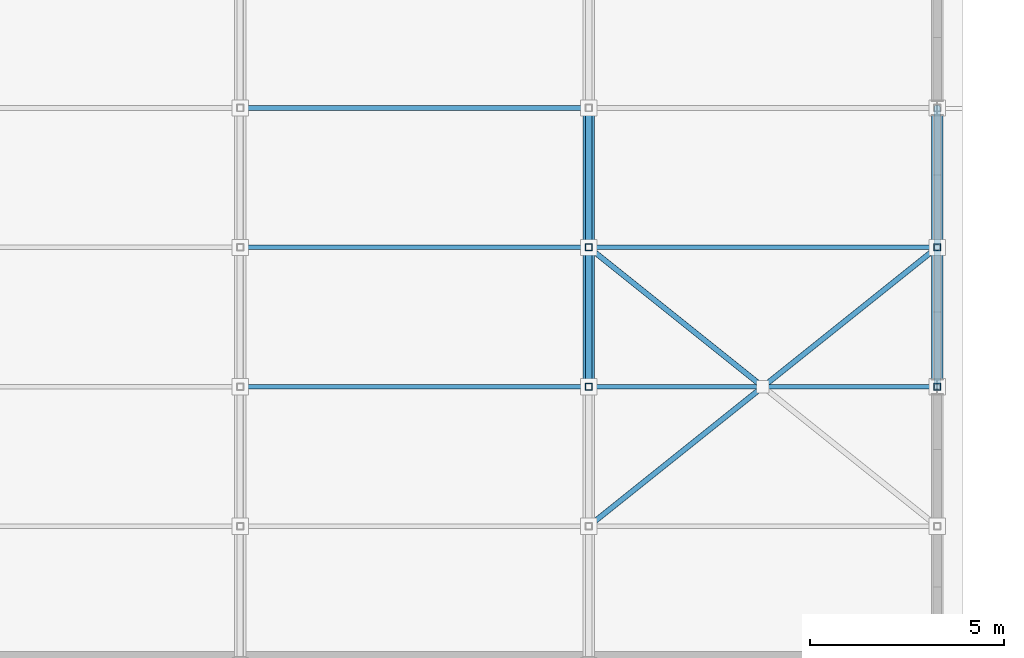
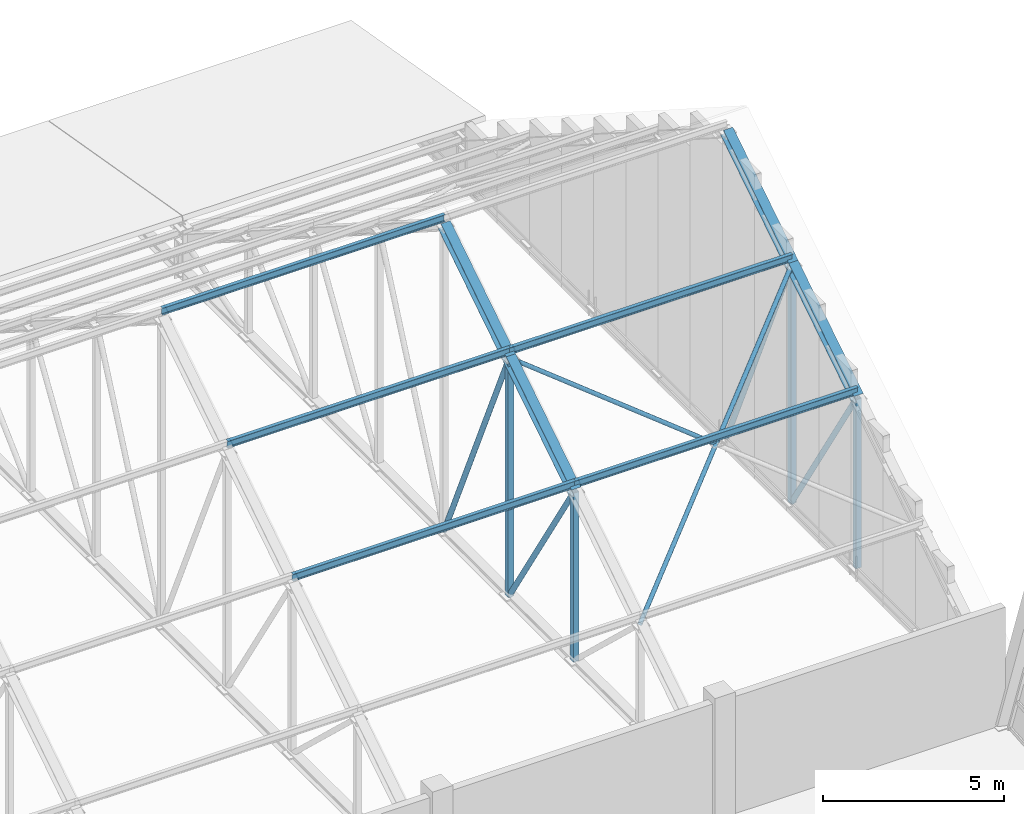
# One storey, part 115 of 182: 19 members.
"""IFC4 building model written with IfcOpenShell, lengths in metres."""

import ifcopenshell
import ifcopenshell.guid

model = None  # the IFC model being written
_history = None  # IfcOwnerHistory: only IFC2X3 demands one
_inside = {}  # id of a spatial element -> (the spatial element, [elements in it])
_under = {}  # id of a project, library or spatial element -> (it, [spatial elements below it])
_declared = {}  # id of a project -> (the project, [libraries it declares])
_typed = {}  # id of a type object -> (the type object, [elements of that type])
_made_of = {}  # id of a material, layer set ... -> (it, [elements and type objects made of it])


def new_model(schema):
    """Start an empty IFC model of exactly this schema.

    Asked for "IFC4X3", IfcOpenShell would pick the latest addendum, in which some entities
    have other attributes; the version numbers below select the first issue.
    IFC2X3 requires an IfcOwnerHistory on every rooted entity: one is made here for all.
    """
    global model, _history
    if schema == "IFC4X3":
        model = ifcopenshell.file(schema_version=(4, 3, 0, 0))
    else:
        model = ifcopenshell.file(schema=schema)
    _inside.clear()
    _under.clear()
    _declared.clear()
    _typed.clear()
    _made_of.clear()
    _history = None
    if model.schema == "IFC2X3":
        org = make("IfcOrganization", Name="unknown")
        user = make(
            "IfcPersonAndOrganization",
            ThePerson=make("IfcPerson", FamilyName="unknown"),
            TheOrganization=org,
        )
        app = make(
            "IfcApplication",
            ApplicationDeveloper=org,
            Version="unknown",
            ApplicationFullName="unknown",
            ApplicationIdentifier="unknown",
        )
        _history = make(
            "IfcOwnerHistory",
            OwningUser=user,
            OwningApplication=app,
            ChangeAction="ADDED",
            CreationDate=0,
        )
    return model


def make(cls, **values):
    """One entity of the class cls with the attributes given. An attribute that is None is left unset."""
    return model.create_entity(
        cls, **{name: value for name, value in values.items() if value is not None}
    )


def rooted(cls, **values):
    """An entity with a GlobalId (a new one), such as an element, a storey or a relation."""
    return make(cls, GlobalId=ifcopenshell.guid.new(), OwnerHistory=_history, **values)


def si_unit(unit_type, name, prefix=None):
    """IfcSIUnit, for example si_unit("LENGTHUNIT", "METRE", prefix="MILLI")."""
    return make("IfcSIUnit", UnitType=unit_type, Prefix=prefix, Name=name)


def assignment(units):
    """IfcUnitAssignment: the units of a project."""
    return None if units is None else make("IfcUnitAssignment", Units=units)


def point(xyz):
    """IfcCartesianPoint."""
    return None if xyz is None else make("IfcCartesianPoint", Coordinates=xyz)


def direction(xyz):
    """IfcDirection."""
    return None if xyz is None else make("IfcDirection", DirectionRatios=xyz)


def frame(location, z_axis=None, x_axis=None):
    """IfcAxis2Placement3D, a coordinate frame: its origin and axes. An axis left out is left unset."""
    return make(
        "IfcAxis2Placement3D",
        Location=point(location),
        Axis=direction(z_axis),
        RefDirection=direction(x_axis),
    )


def frame_2d(location, x_axis=None):
    """IfcAxis2Placement2D, a coordinate frame in the plane: its origin and x axis."""
    return make(
        "IfcAxis2Placement2D", Location=point(location), RefDirection=direction(x_axis)
    )


def origin():
    """The frame at (0, 0, 0) with its axes left unset."""
    return frame((0.0, 0.0, 0.0))


def origin_2d():
    """The frame at (0, 0) in the plane with its x axis left unset."""
    return frame_2d((0.0, 0.0))


def place(relative_to, where):
    """IfcLocalPlacement: puts the frame where relative to a parent placement (None: the world)."""
    return make(
        "IfcLocalPlacement", PlacementRelTo=relative_to, RelativePlacement=where
    )


def context(
    kind, dimensions, precision=None, world=None, true_north=None, identifier=None
):
    """IfcGeometricRepresentationContext, for example the 3D "Model" context."""
    return make(
        "IfcGeometricRepresentationContext",
        ContextIdentifier=identifier,
        ContextType=kind,
        CoordinateSpaceDimension=dimensions,
        Precision=precision,
        WorldCoordinateSystem=world,
        TrueNorth=true_north,
    )


def subcontext(parent, identifier, kind, view, scale=None):
    """IfcGeometricRepresentationSubContext, for example "Body" below "Model"."""
    return make(
        "IfcGeometricRepresentationSubContext",
        ContextIdentifier=identifier,
        ContextType=kind,
        ParentContext=parent,
        TargetScale=scale,
        TargetView=view,
    )


def project(units=None, contexts=None):
    """IfcProject with its units and contexts."""
    return rooted(
        "IfcProject",
        Name="project",
        RepresentationContexts=contexts,
        UnitsInContext=assignment(units),
    )


def spatial(cls, under=None, at=None, **own):
    """A site, building, storey or space (cls), placed at a placement, below another one or the project."""
    s = rooted(cls, ObjectPlacement=at, **own)
    if under is not None:
        _under.setdefault(under.id(), (under, []))[1].append(s)
    return s


def profile(cls, at=None, kind="AREA", **sizes):
    """A parametric profile (cls). Its sizes go by their IFC names, for example OverallWidth=200.0."""
    return make(cls, ProfileType=kind, Position=at, **sizes)


def hollow_rectangle(**sizes):
    """IfcRectangleHollowProfileDef."""
    return profile("IfcRectangleHollowProfileDef", **sizes)


def hollow_circle(**sizes):
    """IfcCircleHollowProfileDef."""
    return profile("IfcCircleHollowProfileDef", **sizes)


def i_section(**sizes):
    """IfcIShapeProfileDef."""
    return profile("IfcIShapeProfileDef", **sizes)


def extrude(swept, where, along, depth):
    """IfcExtrudedAreaSolid: the profile swept, set in the frame where, extruded along a direction by depth."""
    return make(
        "IfcExtrudedAreaSolid",
        SweptArea=swept,
        Position=where,
        ExtrudedDirection=direction(along),
        Depth=depth,
    )


def shape(context_of_items, identifier, shape_type, items):
    """IfcShapeRepresentation: the items that make up one representation, for example the "Body"."""
    return make(
        "IfcShapeRepresentation",
        ContextOfItems=context_of_items,
        RepresentationIdentifier=identifier,
        RepresentationType=shape_type,
        Items=items,
    )


def material(Name=None, Category=None):
    """IfcMaterial."""
    return make("IfcMaterial", Name=Name, Category=Category)


def material_profile(
    of_material, cross_section, Name=None, Category=None, Priority=None
):
    """IfcMaterialProfile: a cross section and its material."""
    return make(
        "IfcMaterialProfile",
        Name=Name,
        Material=of_material,
        Profile=cross_section,
        Priority=Priority,
        Category=Category,
    )


def profile_set(profiles, Name=None, composite=None):
    """IfcMaterialProfileSet."""
    return make(
        "IfcMaterialProfileSet",
        Name=Name,
        MaterialProfiles=profiles,
        CompositeProfile=composite,
    )


def made_of(thing, what):
    """Note that an element or type object is made of a material, layer set ...; save() writes the relation."""
    if what is not None:
        _made_of.setdefault(what.id(), (what, []))[1].append(thing)
    return thing


def type_object(cls, material=None, **own):
    """A type object (cls), such as IfcWallType, which elements share."""
    return made_of(rooted(cls, **own), material)


def element(
    cls,
    number,
    at=None,
    inside=None,
    cuts=None,
    type_object=None,
    material=None,
    context=None,
    identifier="Body",
    shape_type=None,
    held_by="IfcProductDefinitionShape",
    body=None,
    shapes=None,
    **own,
):
    """One element of the class cls, such as IfcWall. Its Tag is "e" and its number.

    at: its placement. inside: the storey or other place that contains it. cuts: it is an
    opening in that element (IfcRelVoidsElement). A single representation is given by context,
    identifier, shape_type and body (its items); several are given by shapes. held_by: the class
    of the entity that holds the representations. save() writes the other relations.
    """
    e = rooted(cls, Tag="e%d" % number, ObjectPlacement=at, **own)
    if body is not None:
        shapes = [shape(context, identifier, shape_type, body)]
    if shapes is not None:
        e.Representation = make(held_by, Representations=shapes)
    if inside is not None:
        _inside.setdefault(inside.id(), (inside, []))[1].append(e)
    if cuts is not None:
        rooted(
            "IfcRelVoidsElement", RelatingBuildingElement=cuts, RelatedOpeningElement=e
        )
    if type_object is not None:
        _typed.setdefault(type_object.id(), (type_object, []))[1].append(e)
    return made_of(e, material)


def aggregate(whole, parts):
    """IfcRelAggregates: a whole, such as a stair, and the parts it consists of."""
    return rooted("IfcRelAggregates", RelatingObject=whole, RelatedObjects=parts)


def save(model, path):
    """Write the relations noted so far, then the file.

    IfcRelAggregates (storeys below a building ...), IfcRelContainedInSpatialStructure (elements
    in a storey), IfcRelDefinesByType, IfcRelAssociatesMaterial and IfcRelDeclares: one each for
    every whole, place, type object, material and project.
    """
    for whole, parts in _under.values():
        aggregate(whole, parts)
    for where, things in _inside.values():
        rooted(
            "IfcRelContainedInSpatialStructure",
            RelatedElements=things,
            RelatingStructure=where,
        )
    for kind, things in _typed.values():
        rooted("IfcRelDefinesByType", RelatedObjects=things, RelatingType=kind)
    for what, things in _made_of.values():
        rooted("IfcRelAssociatesMaterial", RelatedObjects=things, RelatingMaterial=what)
    for by, libraries in _declared.values():
        rooted("IfcRelDeclares", RelatingContext=by, RelatedDefinitions=libraries)
    model.write(path)


model = new_model("IFC4")

# Units and contexts
model_context = context("Model", 3, precision=1e-05, world=origin(), true_north=direction((0.0, 1.0)))
body_context = subcontext(model_context, "Body", "Model", "MODEL_VIEW")
ifc_project = project(units=[si_unit("LENGTHUNIT", "METRE"), si_unit("AREAUNIT", "SQUARE_METRE"), si_unit("VOLUMEUNIT", "CUBIC_METRE"), si_unit("PLANEANGLEUNIT", "RADIAN"), si_unit("MASSUNIT", "GRAM", prefix="KILO")], contexts=[model_context])

# Site, building, storey
site_placement = place(None, origin())
site = spatial("IfcSite", under=ifc_project, at=site_placement, CompositionType="ELEMENT")
building_placement = place(site_placement, origin())
building = spatial("IfcBuilding", under=site, at=building_placement, Name="Chiffa Square Polytechnic", CompositionType="ELEMENT")
storey_placement = place(building_placement, frame((0.0, 0.0, 9.60009765625)))
storey = spatial("IfcBuildingStorey", under=building, at=storey_placement, Name="L02", CompositionType="ELEMENT", Elevation=9.60009765625)

# Members
ifc_material = material(Name="Steel S355", Category="steel")
ifc_material_profile_1 = material_profile(ifc_material, hollow_circle(Radius=0.06982421875, WallThickness=0.008056640625, at=origin_2d()), Name="CHS 139.7x8")
ifc_profile_set_1 = profile_set([ifc_material_profile_1], Name="Steel S355")
member_type_1 = type_object("IfcMemberType", Name="MEM-BRC-CHS140", PredefinedType="BRACE", material=ifc_profile_set_1)
member_1_placement = place(storey_placement, frame((166.199951171875, 61.800048828125, 3.75), z_axis=(0.725245496543, 0.580192462526, 0.370669227441), x_axis=(-0.624692464322, 0.780870876022, 0.0)))
element("IfcMember", 1, at=member_1_placement, inside=storey, type_object=member_type_1, Name="Workshop continuous roof X-brace BR-V2-RF-07S1", PredefinedType="BRACE", context=body_context, shape_type="SweptSolid", body=[
    extrude(hollow_circle(Radius=0.06982421875, WallThickness=0.008056640625, at=origin_2d()), origin(), (0.0, 0.0, 1.0), 12.40966796875),
])
member_2_placement = place(storey_placement, frame((166.199951171875, 69.0, 8.349853515625), z_axis=(0.725231929607, -0.580201282226, -0.370681966625), x_axis=(0.624705380279, 0.780860543151, 0.0)))
element("IfcMember", 2, at=member_2_placement, inside=storey, type_object=member_type_1, Name="Workshop split roof X-brace segment BR-V2-RF-07S2A", PredefinedType="BRACE", context=body_context, shape_type="SweptSolid", body=[
    extrude(hollow_circle(Radius=0.06982421875, WallThickness=0.008056640625, at=origin_2d()), origin(), (0.0, 0.0, 1.0), 6.204833984375),
])
ifc_material_profile_2 = material_profile(ifc_material, i_section(OverallWidth=0.300048828125, OverallDepth=0.31005859375, WebThickness=0.009033203125, FlangeThickness=0.015380859375, FilletRadius=0.027099609375, at=origin_2d()), Name="HEA 320")
ifc_profile_set_2 = profile_set([ifc_material_profile_2], Name="Steel S355")
member_type_2 = type_object("IfcMemberType", Name="MEM-CHORD-HEA320", PredefinedType="CHORD", material=ifc_profile_set_2)
for number, where, z_axis, x_axis, name in (
    (3, (166.199951171875, 65.39990234375, 6.0498046875), (0.0, 0.84269770024, 0.538387022512), (-1.0, 0.0, 0.0), "Workshop roof truss top chord TCT-V2-07-03"),
    (4, (166.199951171875, 69.0, 8.349853515625), (0.0, 0.84269770024, 0.538387022512), (-1.0, 0.0, 0.0), "Workshop roof truss top chord TCT-V2-07-04"),
    (5, (175.199951171875, 65.39990234375, 6.0498046875), (0.0, 0.84269770024, 0.538387022512), (-1.0, 0.0, 0.0), "Workshop roof truss top chord TCT-V2-08-03"),
    (6, (175.199951171875, 69.0, 8.349853515625), (0.0, 0.84269770024, 0.538387022512), (-1.0, 0.0, 0.0), "Workshop roof truss top chord TCT-V2-08-04"),
):
    element("IfcMember", number, at=place(storey_placement, frame(where, z_axis=z_axis, x_axis=x_axis)), inside=storey, type_object=member_type_2, Name=name, PredefinedType="CHORD", context=body_context, shape_type="SweptSolid", body=[
        extrude(i_section(OverallWidth=0.300048828125, OverallDepth=0.31005859375, WebThickness=0.009033203125, FlangeThickness=0.015380859375, FilletRadius=0.027099609375, at=origin_2d()), origin(), (0.0, 0.0, 1.0), 4.272216796875),
    ])
ifc_material_profile_3 = material_profile(ifc_material, i_section(OverallWidth=0.1201171875, OverallDepth=0.239990234375, WebThickness=0.006103515625, FlangeThickness=0.009765625, FilletRadius=0.014892578125, at=origin_2d()), Name="IPE 240")
ifc_profile_set_3 = profile_set([ifc_material_profile_3], Name="Steel S355")
member_type_3 = type_object("IfcMemberType", Name="MEM-PUR-IPE240", PredefinedType="PURLIN", material=ifc_profile_set_3)
for number, where, z_axis, x_axis, name in (
    (7, (157.199951171875, 65.39990234375, 6.2998046875), (1.0, 0.0, 0.0), (0.0, 1.0, 0.0), "Workshop steel roof purlin PU-V2-06-03"),
    (8, (157.199951171875, 69.0, 8.599853515625), (1.0, 0.0, 0.0), (0.0, 1.0, 0.0), "Workshop steel roof purlin PU-V2-06-04"),
    (9, (157.199951171875, 72.60009765625, 10.89990234375), (1.0, 0.0, 0.0), (0.0, 1.0, 0.0), "Workshop steel roof purlin PU-V2-06-05"),
    (10, (166.199951171875, 65.39990234375, 6.2998046875), (1.0, 0.0, 0.0), (0.0, 1.0, 0.0), "Workshop steel roof purlin PU-V2-07-03"),
    (11, (166.199951171875, 69.0, 8.599853515625), (1.0, 0.0, 0.0), (0.0, 1.0, 0.0), "Workshop steel roof purlin PU-V2-07-04"),
):
    element("IfcMember", number, at=place(storey_placement, frame(where, z_axis=z_axis, x_axis=x_axis)), inside=storey, type_object=member_type_3, Name=name, PredefinedType="PURLIN", context=body_context, shape_type="SweptSolid", body=[
        extrude(i_section(OverallWidth=0.1201171875, OverallDepth=0.239990234375, WebThickness=0.006103515625, FlangeThickness=0.009765625, FilletRadius=0.014892578125, at=origin_2d()), origin(), (0.0, 0.0, 1.0), 9.0),
    ])
ifc_material_profile_4 = material_profile(ifc_material, hollow_circle(Radius=0.084228515625, WallThickness=0.010009765625, at=origin_2d()), Name="CHS 168.3x10")
ifc_profile_set_4 = profile_set([ifc_material_profile_4], Name="Steel S355")
member_type_4 = type_object("IfcMemberType", Name="MEM-WEB-CHS168", PredefinedType="MEMBER", material=ifc_profile_set_4)
member_3_placement = place(storey_placement, frame((166.199951171875, 65.39990234375, 6.0498046875), z_axis=(0.0, 0.53400661626, -0.845480297695), x_axis=(-1.0, 0.0, 0.0)))
element("IfcMember", 12, at=member_3_placement, inside=storey, type_object=member_type_4, Name="Workshop roof truss diagonal TWD-V2-07-03", PredefinedType="MEMBER", context=body_context, shape_type="SweptSolid", body=[
    extrude(hollow_circle(Radius=0.084228515625, WallThickness=0.010009765625, at=origin_2d()), origin(), (0.0, 0.0, 1.0), 6.74169921875),
])
member_4_placement = place(storey_placement, frame((166.199951171875, 69.0, 8.349853515625), z_axis=(0.0, 0.410373934525, -0.91191733938), x_axis=(-1.0, 0.0, 0.0)))
element("IfcMember", 13, at=member_4_placement, inside=storey, type_object=member_type_4, Name="Workshop roof truss diagonal TWD-V2-07-04", PredefinedType="MEMBER", context=body_context, shape_type="SweptSolid", body=[
    extrude(hollow_circle(Radius=0.084228515625, WallThickness=0.010009765625, at=origin_2d()), origin(), (0.0, 0.0, 1.0), 8.772705078125),
])
member_5_placement = place(storey_placement, frame((175.199951171875, 65.39990234375, 6.0498046875), z_axis=(0.0, 0.53400661626, -0.845480297695), x_axis=(-1.0, 0.0, 0.0)))
element("IfcMember", 14, at=member_5_placement, inside=storey, type_object=member_type_4, Name="Workshop roof truss diagonal TWD-V2-08-03", PredefinedType="MEMBER", context=body_context, shape_type="SweptSolid", body=[
    extrude(hollow_circle(Radius=0.084228515625, WallThickness=0.010009765625, at=origin_2d()), origin(), (0.0, 0.0, 1.0), 6.74169921875),
])
member_6_placement = place(storey_placement, frame((175.199951171875, 69.0, 8.349853515625), z_axis=(0.0, 0.410373934525, -0.91191733938), x_axis=(-1.0, 0.0, 0.0)))
element("IfcMember", 15, at=member_6_placement, inside=storey, type_object=member_type_4, Name="Workshop roof truss diagonal TWD-V2-08-04", PredefinedType="MEMBER", context=body_context, shape_type="SweptSolid", body=[
    extrude(hollow_circle(Radius=0.084228515625, WallThickness=0.010009765625, at=origin_2d()), origin(), (0.0, 0.0, 1.0), 8.772705078125),
])
ifc_material_profile_5 = material_profile(ifc_material, hollow_rectangle(XDim=0.179931640625, YDim=0.179931640625, WallThickness=0.010009765625, at=origin_2d()), Name="RHS 180x180x10")
ifc_profile_set_5 = profile_set([ifc_material_profile_5], Name="Steel S355")
member_type_5 = type_object("IfcMemberType", Name="MEM-WEB-RHS180", PredefinedType="MEMBER", material=ifc_profile_set_5)
member_7_placement = place(storey_placement, frame((166.199951171875, 65.39990234375, 0.349853515625), z_axis=(0.0, 0.0, 1.0), x_axis=(1.0, 0.0, 0.0)))
element("IfcMember", 16, at=member_7_placement, inside=storey, type_object=member_type_5, Name="Workshop roof truss vertical TWV-V2-07-03", PredefinedType="MEMBER", context=body_context, shape_type="SweptSolid", body=[
    extrude(hollow_rectangle(XDim=0.179931640625, YDim=0.179931640625, WallThickness=0.010009765625, at=origin_2d()), origin(), (0.0, 0.0, 1.0), 5.699951171875),
])
member_8_placement = place(storey_placement, frame((166.199951171875, 69.0, 0.349853515625), z_axis=(0.0, 0.0, 1.0), x_axis=(1.0, 0.0, 0.0)))
element("IfcMember", 17, at=member_8_placement, inside=storey, type_object=member_type_5, Name="Workshop roof truss vertical TWV-V2-07-04", PredefinedType="MEMBER", context=body_context, shape_type="SweptSolid", body=[
    extrude(hollow_rectangle(XDim=0.179931640625, YDim=0.179931640625, WallThickness=0.010009765625, at=origin_2d()), origin(), (0.0, 0.0, 1.0), 8.0),
])
member_9_placement = place(storey_placement, frame((175.199951171875, 65.39990234375, 0.349853515625), z_axis=(0.0, 0.0, 1.0), x_axis=(1.0, 0.0, 0.0)))
element("IfcMember", 18, at=member_9_placement, inside=storey, type_object=member_type_5, Name="Workshop roof truss vertical TWV-V2-08-03", PredefinedType="MEMBER", context=body_context, shape_type="SweptSolid", body=[
    extrude(hollow_rectangle(XDim=0.179931640625, YDim=0.179931640625, WallThickness=0.010009765625, at=origin_2d()), origin(), (0.0, 0.0, 1.0), 5.699951171875),
])
member_10_placement = place(storey_placement, frame((175.199951171875, 69.0, 0.349853515625), z_axis=(0.0, 0.0, 1.0), x_axis=(1.0, 0.0, 0.0)))
element("IfcMember", 19, at=member_10_placement, inside=storey, type_object=member_type_5, Name="Workshop roof truss vertical TWV-V2-08-04", PredefinedType="MEMBER", context=body_context, shape_type="SweptSolid", body=[
    extrude(hollow_rectangle(XDim=0.179931640625, YDim=0.179931640625, WallThickness=0.010009765625, at=origin_2d()), origin(), (0.0, 0.0, 1.0), 8.0),
])

save(model, "model.ifc")
